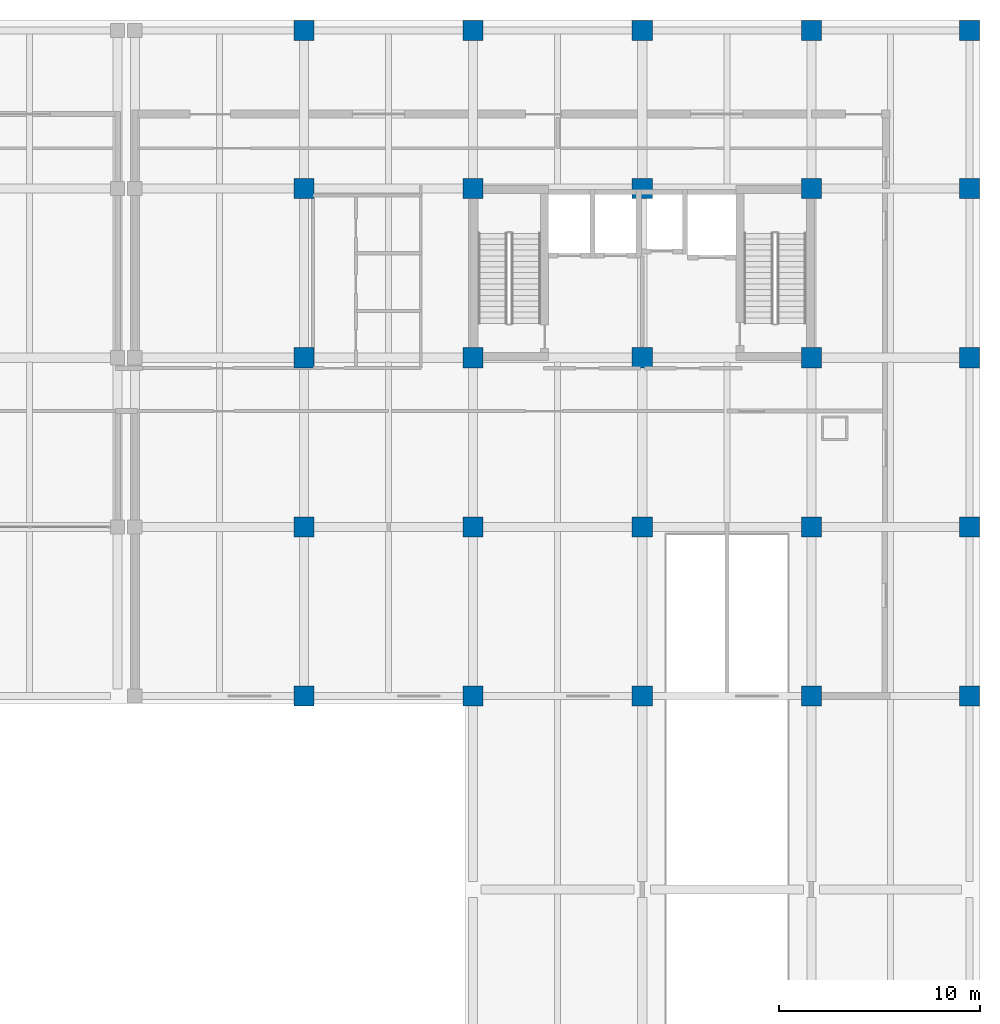
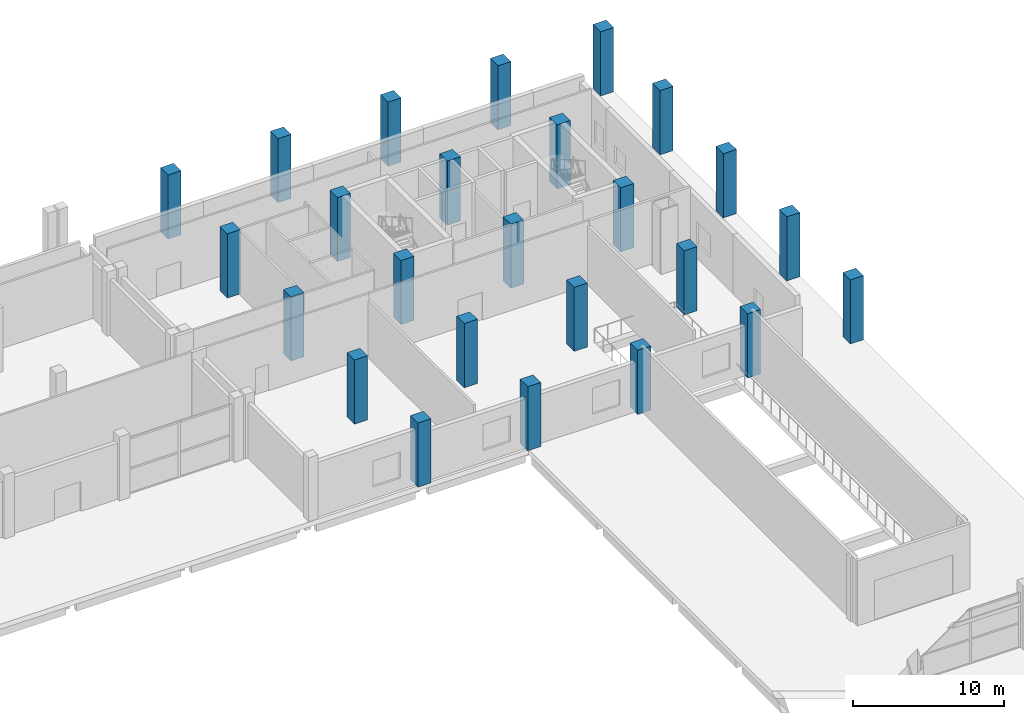
# One storey, part 4 of 34: 25 columns.
"""IFC4 building model written with IfcOpenShell, lengths in metres."""

from ifc_helpers import new_model, si_unit, direction, frame, origin, origin_2d, place, context, subcontext, project, spatial, rectangle, extrude, material, material_profile, profile_set, type_object, element, save


model = new_model("IFC4")

# Units and contexts
model_context = context("Model", 3, precision=1e-05, world=origin(), true_north=direction((0.0, 1.0)))
body_context = subcontext(model_context, "Body", "Model", "MODEL_VIEW")
ifc_project = project(units=[si_unit("LENGTHUNIT", "METRE"), si_unit("AREAUNIT", "SQUARE_METRE"), si_unit("VOLUMEUNIT", "CUBIC_METRE"), si_unit("PLANEANGLEUNIT", "RADIAN"), si_unit("MASSUNIT", "GRAM", prefix="KILO")], contexts=[model_context])

# Site, building, storey
site_placement = place(None, origin())
site = spatial("IfcSite", under=ifc_project, at=site_placement, CompositionType="ELEMENT")
building_placement = place(site_placement, origin())
building = spatial("IfcBuilding", under=site, at=building_placement, Name="Brinegate Botanical Conservatory", CompositionType="ELEMENT")
storey_placement = place(building_placement, origin())
storey = spatial("IfcBuildingStorey", under=building, at=storey_placement, Name="L01", CompositionType="ELEMENT", Elevation=0.0)

# Columns
ifc_material = material(Name="Concrete C50/60", Category="concrete")
ifc_material_profile = material_profile(ifc_material, rectangle(XDim=1.0, YDim=1.0, at=origin_2d()), Name="RC COL 1000x1000")
ifc_profile_set = profile_set([ifc_material_profile], Name="Concrete C50/60")
column_type = type_object("IfcColumnType", Name="Col_C-T1", PredefinedType="COLUMN", material=ifc_profile_set)
for number, where, z_axis, x_axis, name in (
    (1, (130.39990234375, 78.39990234375, 0.0), (0.0, 0.0, 1.0), (1.0, 0.0, 0.0), "Column C-T1 L01 K-17"),
    (2, (130.39990234375, 86.800048828125, 0.0), (0.0, 0.0, 1.0), (1.0, 0.0, 0.0), "Column C-T1 L01 L-17"),
    (3, (130.39990234375, 95.199951171875, 0.0), (0.0, 0.0, 1.0), (1.0, 0.0, 0.0), "Column C-T1 L01 M-17"),
    (4, (130.39990234375, 103.60009765625, 0.0), (0.0, 0.0, 1.0), (1.0, 0.0, 0.0), "Column C-T1 L01 N-17"),
    (5, (130.39990234375, 111.449951171875, 0.0), (0.0, 0.0, 1.0), (1.0, 0.0, 0.0), "Column C-T1 L01 P-17"),
    (6, (138.800048828125, 78.39990234375, 0.0), (0.0, 0.0, 1.0), (1.0, 0.0, 0.0), "Column C-T1 L01 K-18"),
    (7, (138.800048828125, 86.800048828125, 0.0), (0.0, 0.0, 1.0), (1.0, 0.0, 0.0), "Column C-T1 L01 L-18"),
    (8, (138.800048828125, 95.199951171875, 0.0), (0.0, 0.0, 1.0), (1.0, 0.0, 0.0), "Column C-T1 L01 M-18"),
    (9, (138.800048828125, 103.60009765625, 0.0), (0.0, 0.0, 1.0), (1.0, 0.0, 0.0), "Column C-T1 L01 N-18"),
    (10, (138.800048828125, 111.449951171875, 0.0), (0.0, 0.0, 1.0), (1.0, 0.0, 0.0), "Column C-T1 L01 P-18"),
    (11, (147.199951171875, 78.39990234375, 0.0), (0.0, 0.0, 1.0), (1.0, 0.0, 0.0), "Column C-T1 L01 K-19"),
    (12, (147.199951171875, 86.800048828125, 0.0), (0.0, 0.0, 1.0), (1.0, 0.0, 0.0), "Column C-T1 L01 L-19"),
    (13, (147.199951171875, 95.199951171875, 0.0), (0.0, 0.0, 1.0), (1.0, 0.0, 0.0), "Column C-T1 L01 M-19"),
    (14, (147.199951171875, 103.60009765625, 0.0), (0.0, 0.0, 1.0), (1.0, 0.0, 0.0), "Column C-T1 L01 N-19"),
    (15, (147.199951171875, 111.449951171875, 0.0), (0.0, 0.0, 1.0), (1.0, 0.0, 0.0), "Column C-T1 L01 P-19"),
    (16, (155.60009765625, 78.39990234375, 0.0), (0.0, 0.0, 1.0), (1.0, 0.0, 0.0), "Column C-T1 L01 K-20"),
    (17, (155.60009765625, 86.800048828125, 0.0), (0.0, 0.0, 1.0), (1.0, 0.0, 0.0), "Column C-T1 L01 L-20"),
    (18, (155.60009765625, 95.199951171875, 0.0), (0.0, 0.0, 1.0), (1.0, 0.0, 0.0), "Column C-T1 L01 M-20"),
    (19, (155.60009765625, 103.60009765625, 0.0), (0.0, 0.0, 1.0), (1.0, 0.0, 0.0), "Column C-T1 L01 N-20"),
    (20, (155.60009765625, 111.449951171875, 0.0), (0.0, 0.0, 1.0), (1.0, 0.0, 0.0), "Column C-T1 L01 P-20"),
    (21, (163.449951171875, 78.39990234375, 0.0), (0.0, 0.0, 1.0), (1.0, 0.0, 0.0), "Column C-T1 L01 K-21"),
    (22, (163.449951171875, 86.800048828125, 0.0), (0.0, 0.0, 1.0), (1.0, 0.0, 0.0), "Column C-T1 L01 L-21"),
    (23, (163.449951171875, 95.199951171875, 0.0), (0.0, 0.0, 1.0), (1.0, 0.0, 0.0), "Column C-T1 L01 M-21"),
    (24, (163.449951171875, 103.60009765625, 0.0), (0.0, 0.0, 1.0), (1.0, 0.0, 0.0), "Column C-T1 L01 N-21"),
    (25, (163.449951171875, 111.449951171875, 0.0), (0.0, 0.0, 1.0), (1.0, 0.0, 0.0), "Column C-T1 L01 P-21"),
):
    element("IfcColumn", number, at=place(storey_placement, frame(where, z_axis=z_axis, x_axis=x_axis)), inside=storey, type_object=column_type, Name=name, PredefinedType="COLUMN", context=body_context, shape_type="SweptSolid", body=[
        extrude(rectangle(XDim=1.0, YDim=1.0, at=origin_2d()), origin(), (0.0, 0.0, 1.0), 5.179931640625),
    ])

save(model, "model.ifc")
